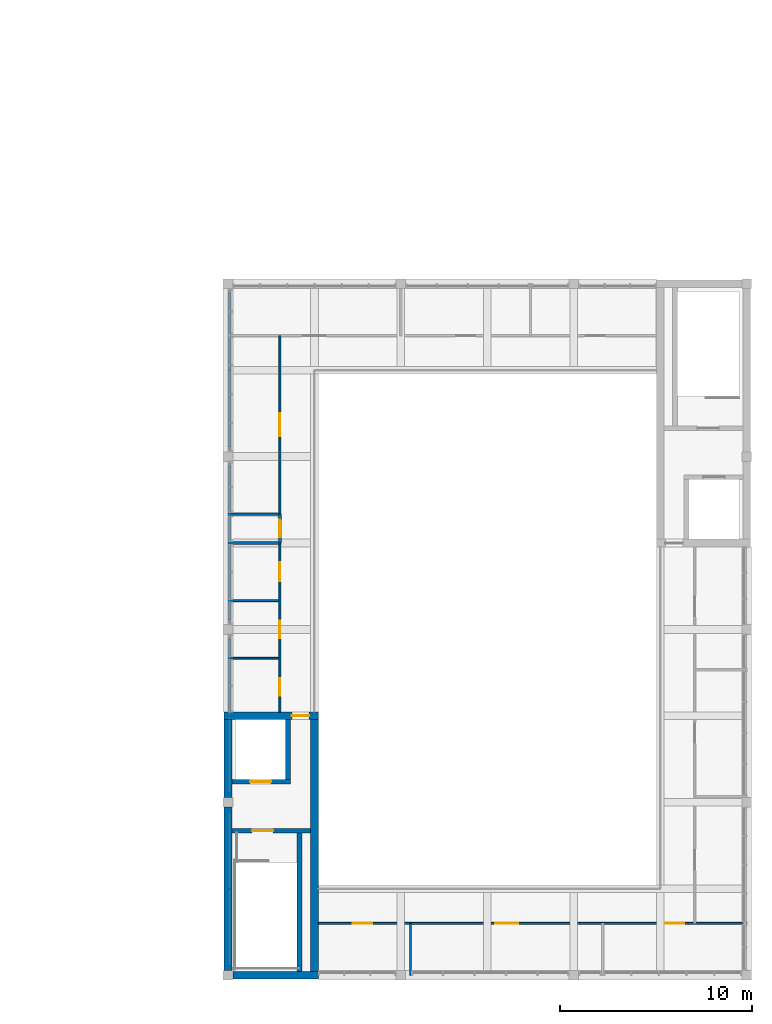
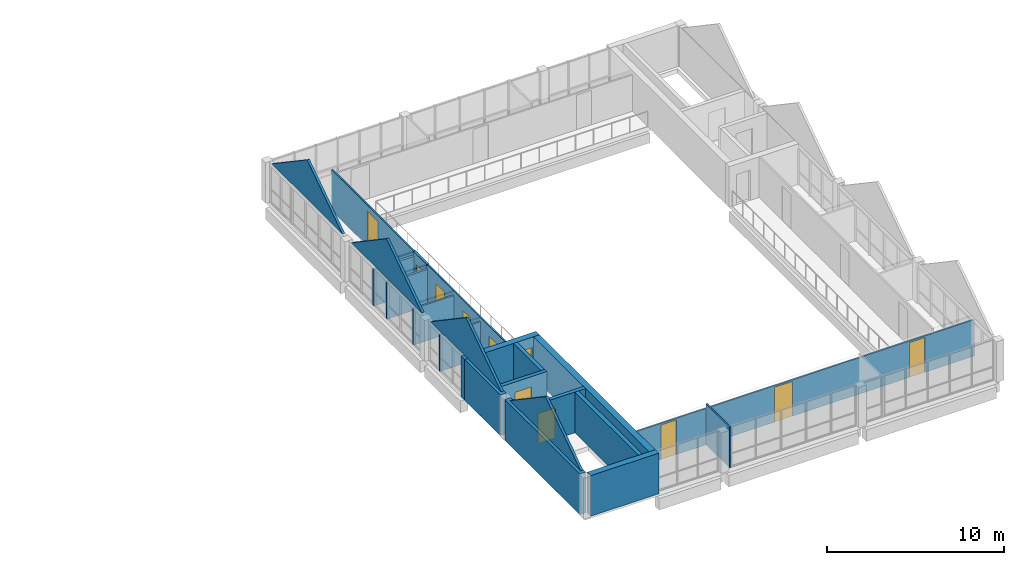
# One storey, part 29 of 50: 19 walls, 11 doors, 11 openings.
"""IFC4 building model written with IfcOpenShell, lengths in metres."""

import ifcopenshell
import ifcopenshell.guid

model = None  # the IFC model being written
_history = None  # IfcOwnerHistory: only IFC2X3 demands one
_inside = {}  # id of a spatial element -> (the spatial element, [elements in it])
_under = {}  # id of a project, library or spatial element -> (it, [spatial elements below it])
_declared = {}  # id of a project -> (the project, [libraries it declares])
_typed = {}  # id of a type object -> (the type object, [elements of that type])
_made_of = {}  # id of a material, layer set ... -> (it, [elements and type objects made of it])


def new_model(schema):
    """Start an empty IFC model of exactly this schema.

    Asked for "IFC4X3", IfcOpenShell would pick the latest addendum, in which some entities
    have other attributes; the version numbers below select the first issue.
    IFC2X3 requires an IfcOwnerHistory on every rooted entity: one is made here for all.
    """
    global model, _history
    if schema == "IFC4X3":
        model = ifcopenshell.file(schema_version=(4, 3, 0, 0))
    else:
        model = ifcopenshell.file(schema=schema)
    _inside.clear()
    _under.clear()
    _declared.clear()
    _typed.clear()
    _made_of.clear()
    _history = None
    if model.schema == "IFC2X3":
        org = make("IfcOrganization", Name="unknown")
        user = make(
            "IfcPersonAndOrganization",
            ThePerson=make("IfcPerson", FamilyName="unknown"),
            TheOrganization=org,
        )
        app = make(
            "IfcApplication",
            ApplicationDeveloper=org,
            Version="unknown",
            ApplicationFullName="unknown",
            ApplicationIdentifier="unknown",
        )
        _history = make(
            "IfcOwnerHistory",
            OwningUser=user,
            OwningApplication=app,
            ChangeAction="ADDED",
            CreationDate=0,
        )
    return model


def make(cls, **values):
    """One entity of the class cls with the attributes given. An attribute that is None is left unset."""
    return model.create_entity(
        cls, **{name: value for name, value in values.items() if value is not None}
    )


def rooted(cls, **values):
    """An entity with a GlobalId (a new one), such as an element, a storey or a relation."""
    return make(cls, GlobalId=ifcopenshell.guid.new(), OwnerHistory=_history, **values)


def si_unit(unit_type, name, prefix=None):
    """IfcSIUnit, for example si_unit("LENGTHUNIT", "METRE", prefix="MILLI")."""
    return make("IfcSIUnit", UnitType=unit_type, Prefix=prefix, Name=name)


def assignment(units):
    """IfcUnitAssignment: the units of a project."""
    return None if units is None else make("IfcUnitAssignment", Units=units)


def point(xyz):
    """IfcCartesianPoint."""
    return None if xyz is None else make("IfcCartesianPoint", Coordinates=xyz)


def direction(xyz):
    """IfcDirection."""
    return None if xyz is None else make("IfcDirection", DirectionRatios=xyz)


def frame(location, z_axis=None, x_axis=None):
    """IfcAxis2Placement3D, a coordinate frame: its origin and axes. An axis left out is left unset."""
    return make(
        "IfcAxis2Placement3D",
        Location=point(location),
        Axis=direction(z_axis),
        RefDirection=direction(x_axis),
    )


def frame_2d(location, x_axis=None):
    """IfcAxis2Placement2D, a coordinate frame in the plane: its origin and x axis."""
    return make(
        "IfcAxis2Placement2D", Location=point(location), RefDirection=direction(x_axis)
    )


def origin():
    """The frame at (0, 0, 0) with its axes left unset."""
    return frame((0.0, 0.0, 0.0))


def place(relative_to, where):
    """IfcLocalPlacement: puts the frame where relative to a parent placement (None: the world)."""
    return make(
        "IfcLocalPlacement", PlacementRelTo=relative_to, RelativePlacement=where
    )


def context(
    kind, dimensions, precision=None, world=None, true_north=None, identifier=None
):
    """IfcGeometricRepresentationContext, for example the 3D "Model" context."""
    return make(
        "IfcGeometricRepresentationContext",
        ContextIdentifier=identifier,
        ContextType=kind,
        CoordinateSpaceDimension=dimensions,
        Precision=precision,
        WorldCoordinateSystem=world,
        TrueNorth=true_north,
    )


def subcontext(parent, identifier, kind, view, scale=None):
    """IfcGeometricRepresentationSubContext, for example "Body" below "Model"."""
    return make(
        "IfcGeometricRepresentationSubContext",
        ContextIdentifier=identifier,
        ContextType=kind,
        ParentContext=parent,
        TargetScale=scale,
        TargetView=view,
    )


def project(units=None, contexts=None):
    """IfcProject with its units and contexts."""
    return rooted(
        "IfcProject",
        Name="project",
        RepresentationContexts=contexts,
        UnitsInContext=assignment(units),
    )


def spatial(cls, under=None, at=None, **own):
    """A site, building, storey or space (cls), placed at a placement, below another one or the project."""
    s = rooted(cls, ObjectPlacement=at, **own)
    if under is not None:
        _under.setdefault(under.id(), (under, []))[1].append(s)
    return s


def polyline(points):
    """IfcPolyline through the points."""
    return make("IfcPolyline", Points=[point(p) for p in points])


def profile(cls, at=None, kind="AREA", **sizes):
    """A parametric profile (cls). Its sizes go by their IFC names, for example OverallWidth=200.0."""
    return make(cls, ProfileType=kind, Position=at, **sizes)


def rectangle(**sizes):
    """IfcRectangleProfileDef."""
    return profile("IfcRectangleProfileDef", **sizes)


def outline(outer, holes=None, kind="AREA"):
    """IfcArbitraryClosedProfileDef: a profile drawn as a closed curve; with holes, ...WithVoids."""
    if holes is None:
        return make("IfcArbitraryClosedProfileDef", ProfileType=kind, OuterCurve=outer)
    return make(
        "IfcArbitraryProfileDefWithVoids",
        ProfileType=kind,
        OuterCurve=outer,
        InnerCurves=holes,
    )


def extrude(swept, where, along, depth):
    """IfcExtrudedAreaSolid: the profile swept, set in the frame where, extruded along a direction by depth."""
    return make(
        "IfcExtrudedAreaSolid",
        SweptArea=swept,
        Position=where,
        ExtrudedDirection=direction(along),
        Depth=depth,
    )


def shape(context_of_items, identifier, shape_type, items):
    """IfcShapeRepresentation: the items that make up one representation, for example the "Body"."""
    return make(
        "IfcShapeRepresentation",
        ContextOfItems=context_of_items,
        RepresentationIdentifier=identifier,
        RepresentationType=shape_type,
        Items=items,
    )


def material(Name=None, Category=None):
    """IfcMaterial."""
    return make("IfcMaterial", Name=Name, Category=Category)


def layer(
    of_material, thickness, ventilated=None, Name=None, Category=None, Priority=None
):
    """IfcMaterialLayer: one layer of a wall or slab, of a material (None: an air gap)."""
    return make(
        "IfcMaterialLayer",
        Material=of_material,
        LayerThickness=thickness,
        IsVentilated=ventilated,
        Name=Name,
        Category=Category,
        Priority=Priority,
    )


def layer_set(layers, Name=None):
    """IfcMaterialLayerSet."""
    return make("IfcMaterialLayerSet", MaterialLayers=layers, LayerSetName=Name)


def made_of(thing, what):
    """Note that an element or type object is made of a material, layer set ...; save() writes the relation."""
    if what is not None:
        _made_of.setdefault(what.id(), (what, []))[1].append(thing)
    return thing


def type_object(cls, material=None, **own):
    """A type object (cls), such as IfcWallType, which elements share."""
    return made_of(rooted(cls, **own), material)


def element(
    cls,
    number,
    at=None,
    inside=None,
    cuts=None,
    type_object=None,
    material=None,
    context=None,
    identifier="Body",
    shape_type=None,
    held_by="IfcProductDefinitionShape",
    body=None,
    shapes=None,
    **own,
):
    """One element of the class cls, such as IfcWall. Its Tag is "e" and its number.

    at: its placement. inside: the storey or other place that contains it. cuts: it is an
    opening in that element (IfcRelVoidsElement). A single representation is given by context,
    identifier, shape_type and body (its items); several are given by shapes. held_by: the class
    of the entity that holds the representations. save() writes the other relations.
    """
    e = rooted(cls, Tag="e%d" % number, ObjectPlacement=at, **own)
    if body is not None:
        shapes = [shape(context, identifier, shape_type, body)]
    if shapes is not None:
        e.Representation = make(held_by, Representations=shapes)
    if inside is not None:
        _inside.setdefault(inside.id(), (inside, []))[1].append(e)
    if cuts is not None:
        rooted(
            "IfcRelVoidsElement", RelatingBuildingElement=cuts, RelatedOpeningElement=e
        )
    if type_object is not None:
        _typed.setdefault(type_object.id(), (type_object, []))[1].append(e)
    return made_of(e, material)


def fill(opening, filler):
    """IfcRelFillsElement: the door or window that sits in an opening."""
    return rooted(
        "IfcRelFillsElement",
        RelatingOpeningElement=opening,
        RelatedBuildingElement=filler,
    )


def aggregate(whole, parts):
    """IfcRelAggregates: a whole, such as a stair, and the parts it consists of."""
    return rooted("IfcRelAggregates", RelatingObject=whole, RelatedObjects=parts)


def save(model, path):
    """Write the relations noted so far, then the file.

    IfcRelAggregates (storeys below a building ...), IfcRelContainedInSpatialStructure (elements
    in a storey), IfcRelDefinesByType, IfcRelAssociatesMaterial and IfcRelDeclares: one each for
    every whole, place, type object, material and project.
    """
    for whole, parts in _under.values():
        aggregate(whole, parts)
    for where, things in _inside.values():
        rooted(
            "IfcRelContainedInSpatialStructure",
            RelatedElements=things,
            RelatingStructure=where,
        )
    for kind, things in _typed.values():
        rooted("IfcRelDefinesByType", RelatedObjects=things, RelatingType=kind)
    for what, things in _made_of.values():
        rooted("IfcRelAssociatesMaterial", RelatedObjects=things, RelatingMaterial=what)
    for by, libraries in _declared.values():
        rooted("IfcRelDeclares", RelatingContext=by, RelatedDefinitions=libraries)
    model.write(path)


model = new_model("IFC4")

# Units and contexts
model_context = context("Model", 3, precision=1e-05, world=origin(), true_north=direction((0.0, 1.0)))
body_context = subcontext(model_context, "Body", "Model", "MODEL_VIEW")
ifc_project = project(units=[si_unit("LENGTHUNIT", "METRE"), si_unit("AREAUNIT", "SQUARE_METRE"), si_unit("VOLUMEUNIT", "CUBIC_METRE"), si_unit("PLANEANGLEUNIT", "RADIAN"), si_unit("MASSUNIT", "GRAM", prefix="KILO")], contexts=[model_context])

# Site, building, storey
site_placement = place(None, origin())
site = spatial("IfcSite", under=ifc_project, at=site_placement, CompositionType="ELEMENT")
building_placement = place(site_placement, origin())
building = spatial("IfcBuilding", under=site, at=building_placement, Name="Merrow Basin Faculty of Sciences", CompositionType="ELEMENT")
storey_placement = place(building_placement, frame((0.0, 0.0, 18.0)))
storey = spatial("IfcBuildingStorey", under=building, at=storey_placement, Name="L04", CompositionType="ELEMENT", Elevation=18.0)

# Wall
ifc_material_1 = material(Name="Precast concrete C40/50", Category="concrete")
ifc_layer_1 = layer(ifc_material_1, 0.159912109375)
ifc_layer_set_1 = layer_set([ifc_layer_1], Name="Frame infill wall 160 Precast concrete C40/50")
wall_type_1 = type_object("IfcWallType", Name="Frame infill wall 160 Precast concrete C40/50", PredefinedType="STANDARD", material=ifc_layer_set_1)
wall_1_placement = place(storey_placement, frame((45.080078125, 0.0, 2.81298828125), z_axis=(0.0, 0.0, 1.0), x_axis=(0.0, 1.0, 0.0)))
element("IfcWall", 1, at=wall_1_placement, inside=storey, type_object=wall_type_1, Name="West frame infill wall", PredefinedType="STANDARD", context=body_context, shape_type="SweptSolid", body=[
    extrude(outline(polyline([(0.5, 0.0), (8.5, 0.0), (8.5, 0.0), (4.5, 2.699951171875), (0.5, 0.0), (0.5, 0.0)])), frame((0.0, 0.080078125, 0.0), z_axis=(0.0, -1.0, 0.0), x_axis=(1.0, 0.0, 0.0)), (0.0, 0.0, 1.0), 0.159912109375),
    extrude(outline(polyline([(9.5, 0.0), (17.5, 0.0), (17.5, 0.0), (13.5, 2.699951171875), (9.5, 0.0), (9.5, 0.0)])), frame((0.0, 0.080078125, 0.0), z_axis=(0.0, -1.0, 0.0), x_axis=(1.0, 0.0, 0.0)), (0.0, 0.0, 1.0), 0.159912109375),
    extrude(outline(polyline([(18.5, 0.0), (26.5, 0.0), (26.5, 0.0), (22.5, 2.699951171875), (18.5, 0.0), (18.5, 0.0)])), frame((0.0, 0.080078125, 0.0), z_axis=(0.0, -1.0, 0.0), x_axis=(1.0, 0.0, 0.0)), (0.0, 0.0, 1.0), 0.159912109375),
    extrude(outline(polyline([(27.5, 0.0), (35.5, 0.0), (35.5, 0.0), (31.5, 2.699951171875), (27.5, 0.0), (27.5, 0.0)])), frame((0.0, 0.080078125, 0.0), z_axis=(0.0, -1.0, 0.0), x_axis=(1.0, 0.0, 0.0)), (0.0, 0.0, 1.0), 0.159912109375),
])

# Wall, opening, door
ifc_material_2 = material(Name="Gypsum board")
ifc_layer_2 = layer(ifc_material_2, 0.10009765625)
ifc_layer_set_2 = layer_set([ifc_layer_2], Name="Partition 100 gypsum board on steel studs")
wall_type_2 = type_object("IfcWallType", Name="Partition 100 gypsum board on steel studs", PredefinedType="PARTITIONING", material=ifc_layer_set_2)
wall_2_placement = place(storey_placement, frame((47.699951171875, 24.0, 0.0), z_axis=(0.0, 0.0, 1.0), x_axis=(0.0, 1.0, 0.0)))
wall_2 = element("IfcWall", 2, at=wall_2_placement, inside=storey, type_object=wall_type_2, Name="IW100 L04 007", PredefinedType="PARTITIONING", context=body_context, shape_type="SweptSolid", body=[
    extrude(rectangle(XDim=9.300048828125, YDim=0.10009765625, at=frame_2d((4.64990234375, 0.0))), origin(), (0.0, 0.0, 1.0), 2.81298828125),
])
opening_1_placement = place(wall_2_placement, frame((4.050048828125, 0.0, 0.0)))
opening_1 = element("IfcOpeningElement", 3, at=opening_1_placement, cuts=wall_2, Name="Opening D04A018", PredefinedType="OPENING", context=body_context, shape_type="SweptSolid", body=[
    extrude(rectangle(XDim=1.199951171875, YDim=2.39990234375, at=frame_2d((0.60009765625, 1.199951171875))), frame((0.0, 0.06005859375, 0.0), z_axis=(0.0, -1.0, 0.0), x_axis=(1.0, 0.0, 0.0)), (0.0, 0.0, 1.0), 0.1201171875),
])
ifc_material_3 = material(Name="Glazed aluminium door", Category="aluminium")
door_type_1 = type_object("IfcDoorType", Name="Glazed single door 1200 x 2400", OperationType="NOTDEFINED", PredefinedType="DOOR", material=ifc_material_3)
door_1_placement = place(opening_1_placement, origin())
door_1 = element("IfcDoor", 4, at=door_1_placement, inside=storey, type_object=door_type_1, Name="Door D04A018", OperationType="SINGLE_SWING_LEFT", OverallHeight=2.39990234375, OverallWidth=1.199951171875, PredefinedType="DOOR", context=body_context, shape_type="SweptSolid", body=[
    extrude(rectangle(XDim=1.199951171875, YDim=2.39990234375, at=frame_2d((0.60009765625, 1.199951171875))), frame((0.0, 0.02490234375, 0.0), z_axis=(0.0, -1.0, 0.0), x_axis=(1.0, 0.0, 0.0)), (0.0, 0.0, 1.0), 0.050048828125),
])
fill(opening_1, door_1)

# Wall
wall_3_placement = place(storey_placement, frame((54.5, 0.0, 0.0), z_axis=(0.0, 0.0, 1.0), x_axis=(0.0, 1.0, 0.0)))
element("IfcWall", 5, at=wall_3_placement, inside=storey, type_object=wall_type_2, Name="IW100 L04 009", PredefinedType="PARTITIONING", context=body_context, shape_type="SweptSolid", body=[
    extrude(rectangle(XDim=2.699951171875, YDim=0.10009765625, at=frame_2d((1.35009765625, 0.0))), origin(), (0.0, 0.0, 1.0), 2.81298828125),
])

# Wall, openings, doors
wall_4_placement = place(storey_placement, frame((49.699951171875, 2.699951171875, 0.0), z_axis=(0.0, 0.0, 1.0), x_axis=(1.0, 0.0, 0.0)))
wall_4 = element("IfcWall", 6, at=wall_4_placement, inside=storey, type_object=wall_type_2, Name="IW100 L04 013", PredefinedType="PARTITIONING", context=body_context, shape_type="SweptSolid", body=[
    extrude(rectangle(XDim=22.300048828125, YDim=0.10009765625, at=frame_2d((11.14990234375, 0.0))), origin(), (0.0, 0.0, 1.0), 2.512939453125),
])
opening_2_placement = place(wall_4_placement, frame((1.800048828125, 0.0, 0.0)))
opening_2 = element("IfcOpeningElement", 7, at=opening_2_placement, cuts=wall_4, Name="Opening D04A005", PredefinedType="OPENING", context=body_context, shape_type="SweptSolid", body=[
    extrude(rectangle(XDim=1.0, YDim=2.39990234375, at=frame_2d((0.5, 1.199951171875))), frame((0.0, 0.06005859375, 0.0), z_axis=(0.0, -1.0, 0.0), x_axis=(1.0, 0.0, 0.0)), (0.0, 0.0, 1.0), 0.1201171875),
])
opening_3_placement = place(wall_4_placement, frame((9.199951171875, 0.0, 0.0)))
opening_3 = element("IfcOpeningElement", 8, at=opening_3_placement, cuts=wall_4, Name="Opening D04A006", PredefinedType="OPENING", context=body_context, shape_type="SweptSolid", body=[
    extrude(rectangle(XDim=1.199951171875, YDim=2.39990234375, at=frame_2d((0.60009765625, 1.199951171875))), frame((0.0, 0.06005859375, 0.0), z_axis=(0.0, -1.0, 0.0), x_axis=(1.0, 0.0, 0.0)), (0.0, 0.0, 1.0), 0.1201171875),
])
opening_4_placement = place(wall_4_placement, frame((18.050048828125, 0.0, 0.0)))
opening_4 = element("IfcOpeningElement", 9, at=opening_4_placement, cuts=wall_4, Name="Opening D04A007", PredefinedType="OPENING", context=body_context, shape_type="SweptSolid", body=[
    extrude(rectangle(XDim=1.0, YDim=2.39990234375, at=frame_2d((0.5, 1.199951171875))), frame((0.0, 0.06005859375, 0.0), z_axis=(0.0, -1.0, 0.0), x_axis=(1.0, 0.0, 0.0)), (0.0, 0.0, 1.0), 0.1201171875),
])
ifc_material_4 = material(Name="Glazed aluminium door", Category="aluminium")
door_type_2 = type_object("IfcDoorType", Name="Glazed single door 1000 x 2400", OperationType="NOTDEFINED", PredefinedType="DOOR", material=ifc_material_4)
door_2_placement = place(opening_2_placement, origin())
door_2 = element("IfcDoor", 10, at=door_2_placement, inside=storey, type_object=door_type_2, Name="Door D04A005", OperationType="SINGLE_SWING_LEFT", OverallHeight=2.39990234375, OverallWidth=1.0, PredefinedType="DOOR", context=body_context, shape_type="SweptSolid", body=[
    extrude(rectangle(XDim=1.0, YDim=2.39990234375, at=frame_2d((0.5, 1.199951171875))), frame((0.0, 0.02490234375, 0.0), z_axis=(0.0, -1.0, 0.0), x_axis=(1.0, 0.0, 0.0)), (0.0, 0.0, 1.0), 0.050048828125),
])
fill(opening_2, door_2)
door_3_placement = place(opening_4_placement, origin())
door_3 = element("IfcDoor", 11, at=door_3_placement, inside=storey, type_object=door_type_2, Name="Door D04A007", OperationType="SINGLE_SWING_LEFT", OverallHeight=2.39990234375, OverallWidth=1.0, PredefinedType="DOOR", context=body_context, shape_type="SweptSolid", body=[
    extrude(rectangle(XDim=1.0, YDim=2.39990234375, at=frame_2d((0.5, 1.199951171875))), frame((0.0, 0.02490234375, 0.0), z_axis=(0.0, -1.0, 0.0), x_axis=(1.0, 0.0, 0.0)), (0.0, 0.0, 1.0), 0.050048828125),
])
fill(opening_4, door_3)
door_4_placement = place(opening_3_placement, origin())
door_4 = element("IfcDoor", 12, at=door_4_placement, inside=storey, type_object=door_type_1, Name="Door D04A006", OperationType="SINGLE_SWING_LEFT", OverallHeight=2.39990234375, OverallWidth=1.199951171875, PredefinedType="DOOR", context=body_context, shape_type="SweptSolid", body=[
    extrude(rectangle(XDim=1.199951171875, YDim=2.39990234375, at=frame_2d((0.60009765625, 1.199951171875))), frame((0.0, 0.02490234375, 0.0), z_axis=(0.0, -1.0, 0.0), x_axis=(1.0, 0.0, 0.0)), (0.0, 0.0, 1.0), 0.050048828125),
])
fill(opening_3, door_4)

ifc_material_5 = material(Name="Moisture-resistant gypsum board")
ifc_layer_3 = layer(ifc_material_5, 0.10009765625)
ifc_layer_set_3 = layer_set([ifc_layer_3], Name="Partition 100 moisture-resistant board on steel studs")
wall_type_3 = type_object("IfcWallType", Name="Partition 100 moisture-resistant board on steel studs", PredefinedType="PARTITIONING", material=ifc_layer_set_3)
wall_5_placement = place(storey_placement, frame((47.699951171875, 13.699951171875, 0.0), z_axis=(0.0, 0.0, 1.0), x_axis=(0.0, 1.0, 0.0)))
wall_5 = element("IfcWall", 13, at=wall_5_placement, inside=storey, type_object=wall_type_3, Name="IW101 L04 004", PredefinedType="PARTITIONING", context=body_context, shape_type="SweptSolid", body=[
    extrude(rectangle(XDim=8.800048828125, YDim=0.10009765625, at=frame_2d((4.39990234375, 0.0))), origin(), (0.0, 0.0, 1.0), 2.81298828125),
])
opening_5_placement = place(wall_5_placement, frame((0.85009765625, 0.0, 0.0)))
opening_5 = element("IfcOpeningElement", 14, at=opening_5_placement, cuts=wall_5, Name="Opening D04A014", PredefinedType="OPENING", context=body_context, shape_type="SweptSolid", body=[
    extrude(rectangle(XDim=0.89990234375, YDim=2.10009765625, at=frame_2d((0.449951171875, 1.050048828125))), frame((0.0, 0.06005859375, 0.0), z_axis=(0.0, -1.0, 0.0), x_axis=(1.0, 0.0, 0.0)), (0.0, 0.0, 1.0), 0.1201171875),
])
opening_6_placement = place(wall_5_placement, frame((3.85009765625, 0.0, 0.0)))
opening_6 = element("IfcOpeningElement", 15, at=opening_6_placement, cuts=wall_5, Name="Opening D04A015", PredefinedType="OPENING", context=body_context, shape_type="SweptSolid", body=[
    extrude(rectangle(XDim=0.89990234375, YDim=2.10009765625, at=frame_2d((0.449951171875, 1.050048828125))), frame((0.0, 0.06005859375, 0.0), z_axis=(0.0, -1.0, 0.0), x_axis=(1.0, 0.0, 0.0)), (0.0, 0.0, 1.0), 0.1201171875),
])
opening_7_placement = place(wall_5_placement, frame((6.800048828125, 0.0, 0.0)))
opening_7 = element("IfcOpeningElement", 16, at=opening_7_placement, cuts=wall_5, Name="Opening D04A016", PredefinedType="OPENING", context=body_context, shape_type="SweptSolid", body=[
    extrude(rectangle(XDim=1.0, YDim=2.10009765625, at=frame_2d((0.5, 1.050048828125))), frame((0.0, 0.06005859375, 0.0), z_axis=(0.0, -1.0, 0.0), x_axis=(1.0, 0.0, 0.0)), (0.0, 0.0, 1.0), 0.1201171875),
])
ifc_material_6 = material(Name="Timber door leaf", Category="wood")
door_type_3 = type_object("IfcDoorType", Name="Accessible door 1000 x 2100", OperationType="NOTDEFINED", PredefinedType="DOOR", material=ifc_material_6)
door_5_placement = place(opening_7_placement, origin())
door_5 = element("IfcDoor", 17, at=door_5_placement, inside=storey, type_object=door_type_3, Name="Door D04A016", OperationType="SINGLE_SWING_LEFT", OverallHeight=2.10009765625, OverallWidth=1.0, PredefinedType="DOOR", context=body_context, shape_type="SweptSolid", body=[
    extrude(rectangle(XDim=1.0, YDim=2.10009765625, at=frame_2d((0.5, 1.050048828125))), frame((0.0, 0.02490234375, 0.0), z_axis=(0.0, -1.0, 0.0), x_axis=(1.0, 0.0, 0.0)), (0.0, 0.0, 1.0), 0.050048828125),
])
fill(opening_7, door_5)
ifc_material_7 = material(Name="Timber door leaf", Category="wood")
door_type_4 = type_object("IfcDoorType", Name="Single swing door 900 x 2100", OperationType="NOTDEFINED", PredefinedType="DOOR", material=ifc_material_7)
door_6_placement = place(opening_5_placement, origin())
door_6 = element("IfcDoor", 18, at=door_6_placement, inside=storey, type_object=door_type_4, Name="Door D04A014", OperationType="SINGLE_SWING_LEFT", OverallHeight=2.10009765625, OverallWidth=0.89990234375, PredefinedType="DOOR", context=body_context, shape_type="SweptSolid", body=[
    extrude(rectangle(XDim=0.89990234375, YDim=2.10009765625, at=frame_2d((0.449951171875, 1.050048828125))), frame((0.0, 0.02490234375, 0.0), z_axis=(0.0, -1.0, 0.0), x_axis=(1.0, 0.0, 0.0)), (0.0, 0.0, 1.0), 0.050048828125),
])
fill(opening_5, door_6)
door_7_placement = place(opening_6_placement, origin())
door_7 = element("IfcDoor", 19, at=door_7_placement, inside=storey, type_object=door_type_4, Name="Door D04A015", OperationType="SINGLE_SWING_LEFT", OverallHeight=2.10009765625, OverallWidth=0.89990234375, PredefinedType="DOOR", context=body_context, shape_type="SweptSolid", body=[
    extrude(rectangle(XDim=0.89990234375, YDim=2.10009765625, at=frame_2d((0.449951171875, 1.050048828125))), frame((0.0, 0.02490234375, 0.0), z_axis=(0.0, -1.0, 0.0), x_axis=(1.0, 0.0, 0.0)), (0.0, 0.0, 1.0), 0.050048828125),
])
fill(opening_6, door_7)

# Walls
for number, where, z_axis, x_axis, name in (
    (20, (45.0, 16.5, 0.0), (0.0, 0.0, 1.0), (1.0, 0.0, 0.0), "IW101 L04 005"),
    (21, (45.0, 19.5, 0.0), (0.0, 0.0, 1.0), (1.0, 0.0, 0.0), "IW101 L04 006"),
):
    element("IfcWall", number, at=place(storey_placement, frame(where, z_axis=z_axis, x_axis=x_axis)), inside=storey, type_object=wall_type_3, Name=name, PredefinedType="PARTITIONING", context=body_context, shape_type="SweptSolid", body=[
        extrude(rectangle(XDim=2.64990234375, YDim=0.10009765625, at=frame_2d((1.324951171875, 0.0))), origin(), (0.0, 0.0, 1.0), 2.512939453125),
    ])

# Wall, opening, door
ifc_material_8 = material(Name="Concrete C40/50", Category="concrete")
ifc_layer_4 = layer(ifc_material_8, 0.25)
ifc_layer_set_4 = layer_set([ifc_layer_4], Name="Shear wall 250 Concrete C40/50")
wall_type_4 = type_object("IfcWallType", Name="Shear wall 250 Concrete C40/50", PredefinedType="SHEAR", material=ifc_layer_set_4)
wall_6_placement = place(storey_placement, frame((45.199951171875, 7.52490234375, 0.0), z_axis=(0.0, 0.0, 1.0), x_axis=(1.0, 0.0, 0.0)))
wall_6 = element("IfcWall", 22, at=wall_6_placement, inside=storey, type_object=wall_type_4, Name="SW2 L04 006", PredefinedType="SHEAR", context=body_context, shape_type="SweptSolid", body=[
    extrude(rectangle(XDim=4.10009765625, YDim=0.25, at=frame_2d((2.050048828125, 0.0))), origin(), (0.0, 0.0, 1.0), 2.81298828125),
])
opening_8_placement = place(wall_6_placement, frame((1.050048828125, 0.0, 0.0)))
opening_8 = element("IfcOpeningElement", 23, at=opening_8_placement, cuts=wall_6, Name="Opening D04A001", PredefinedType="OPENING", context=body_context, shape_type="SweptSolid", body=[
    extrude(rectangle(XDim=1.10009765625, YDim=2.10009765625, at=frame_2d((0.550048828125, 1.050048828125))), frame((0.0, 0.135009765625, 0.0), z_axis=(0.0, -1.0, 0.0), x_axis=(1.0, 0.0, 0.0)), (0.0, 0.0, 1.0), 0.27001953125),
])
ifc_material_9 = material(Name="Fire-rated steel door", Category="steel")
door_type_5 = type_object("IfcDoorType", Name="Fire door FD90 1100 x 2100", OperationType="NOTDEFINED", PredefinedType="DOOR", material=ifc_material_9)
door_8_placement = place(opening_8_placement, origin())
door_8 = element("IfcDoor", 24, at=door_8_placement, inside=storey, type_object=door_type_5, Name="Door D04A001", OperationType="SINGLE_SWING_LEFT", OverallHeight=2.10009765625, OverallWidth=1.10009765625, PredefinedType="DOOR", context=body_context, shape_type="SweptSolid", body=[
    extrude(rectangle(XDim=1.10009765625, YDim=2.10009765625, at=frame_2d((0.550048828125, 1.050048828125))), frame((0.0, 0.02490234375, 0.0), z_axis=(0.0, -1.0, 0.0), x_axis=(1.0, 0.0, 0.0)), (0.0, 0.0, 1.0), 0.050048828125),
])
fill(opening_8, door_8)

# Wall
wall_7_placement = place(storey_placement, frame((48.72509765625, 0.199951171875, 0.0), z_axis=(0.0, 0.0, 1.0), x_axis=(0.0, 1.0, 0.0)))
element("IfcWall", 25, at=wall_7_placement, inside=storey, type_object=wall_type_4, Name="SW2 L04 007", PredefinedType="SHEAR", context=body_context, shape_type="SweptSolid", body=[
    extrude(rectangle(XDim=7.199951171875, YDim=0.25, at=frame_2d((3.60009765625, 0.0))), origin(), (0.0, 0.0, 1.0), 2.81298828125),
])

# Wall, opening, door
wall_8_placement = place(storey_placement, frame((45.199951171875, 10.074951171875, 0.0), z_axis=(0.0, 0.0, 1.0), x_axis=(1.0, 0.0, 0.0)))
wall_8 = element("IfcWall", 26, at=wall_8_placement, inside=storey, type_object=wall_type_4, Name="SW2 L04 008", PredefinedType="SHEAR", context=body_context, shape_type="SweptSolid", body=[
    extrude(rectangle(XDim=3.050048828125, YDim=0.25, at=frame_2d((1.52490234375, 0.0))), origin(), (0.0, 0.0, 1.0), 2.81298828125),
])
opening_9_placement = place(wall_8_placement, frame((0.949951171875, 0.0, 0.0)))
opening_9 = element("IfcOpeningElement", 27, at=opening_9_placement, cuts=wall_8, Name="Opening LD04A01", PredefinedType="OPENING", context=body_context, shape_type="SweptSolid", body=[
    extrude(rectangle(XDim=1.10009765625, YDim=2.10009765625, at=frame_2d((0.550048828125, 1.050048828125))), frame((0.0, 0.135009765625, 0.0), z_axis=(0.0, -1.0, 0.0), x_axis=(1.0, 0.0, 0.0)), (0.0, 0.0, 1.0), 0.27001953125),
])
ifc_material_10 = material(Name="Stainless steel sliding door", Category="steel")
door_type_6 = type_object("IfcDoorType", Name="Lift landing door 1100 x 2100 sliding", OperationType="NOTDEFINED", PredefinedType="DOOR", material=ifc_material_10)
door_9_placement = place(opening_9_placement, origin())
door_9 = element("IfcDoor", 28, at=door_9_placement, inside=storey, type_object=door_type_6, Name="Landing door LF9 L04", OperationType="SLIDING_TO_LEFT", OverallHeight=2.10009765625, OverallWidth=1.10009765625, PredefinedType="DOOR", context=body_context, shape_type="SweptSolid", body=[
    extrude(rectangle(XDim=1.10009765625, YDim=2.10009765625, at=frame_2d((0.550048828125, 1.050048828125))), frame((0.0, 0.02490234375, 0.0), z_axis=(0.0, -1.0, 0.0), x_axis=(1.0, 0.0, 0.0)), (0.0, 0.0, 1.0), 0.050048828125),
])
fill(opening_9, door_9)

# Walls
wall_9_placement = place(storey_placement, frame((48.125, 10.199951171875, 0.0), z_axis=(0.0, 0.0, 1.0), x_axis=(0.0, 1.0, 0.0)))
element("IfcWall", 29, at=wall_9_placement, inside=storey, type_object=wall_type_4, Name="SW2 L04 009", PredefinedType="SHEAR", context=body_context, shape_type="SweptSolid", body=[
    extrude(rectangle(XDim=3.10009765625, YDim=0.25, at=frame_2d((1.550048828125, 0.0))), origin(), (0.0, 0.0, 1.0), 2.81298828125),
])
ifc_material_11 = material(Name="Concrete C40/50", Category="concrete")
ifc_layer_5 = layer(ifc_material_11, 0.39990234375)
ifc_layer_set_5 = layer_set([ifc_layer_5], Name="Shear wall 400 Concrete C40/50")
wall_type_5 = type_object("IfcWallType", Name="Shear wall 400 Concrete C40/50", PredefinedType="SHEAR", material=ifc_layer_set_5)
wall_10_placement = place(storey_placement, frame((45.25, 0.0, 0.0), z_axis=(0.0, 0.0, 1.0), x_axis=(1.0, 0.0, 0.0)))
element("IfcWall", 30, at=wall_10_placement, inside=storey, type_object=wall_type_5, Name="SW1 L04 001", PredefinedType="SHEAR", context=body_context, shape_type="SweptSolid", body=[
    extrude(rectangle(XDim=4.449951171875, YDim=0.39990234375, at=frame_2d((2.22509765625, 0.0))), origin(), (0.0, 0.0, 1.0), 2.81298828125),
])

# Wall, opening, door
wall_11_placement = place(storey_placement, frame((44.800048828125, 13.5, 0.0), z_axis=(0.0, 0.0, 1.0), x_axis=(1.0, 0.0, 0.0)))
wall_11 = element("IfcWall", 31, at=wall_11_placement, inside=storey, type_object=wall_type_5, Name="SW1 L04 002", PredefinedType="SHEAR", context=body_context, shape_type="SweptSolid", body=[
    extrude(rectangle(XDim=4.89990234375, YDim=0.39990234375, at=frame_2d((2.449951171875, 0.0))), origin(), (0.0, 0.0, 1.0), 2.81298828125),
])
opening_10_placement = place(wall_11_placement, frame((3.52490234375, 0.0, 0.0)))
opening_10 = element("IfcOpeningElement", 32, at=opening_10_placement, cuts=wall_11, Name="Opening D04A002", PredefinedType="OPENING", context=body_context, shape_type="SweptSolid", body=[
    extrude(rectangle(XDim=0.89990234375, YDim=2.10009765625, at=frame_2d((0.449951171875, 1.050048828125))), frame((0.0, 0.2099609375, 0.0), z_axis=(0.0, -1.0, 0.0), x_axis=(1.0, 0.0, 0.0)), (0.0, 0.0, 1.0), 0.419921875),
])
ifc_material_12 = material(Name="Fire-rated steel door", Category="steel")
door_type_7 = type_object("IfcDoorType", Name="Fire door FD60 900 x 2100", OperationType="NOTDEFINED", PredefinedType="DOOR", material=ifc_material_12)
door_10_placement = place(opening_10_placement, origin())
door_10 = element("IfcDoor", 33, at=door_10_placement, inside=storey, type_object=door_type_7, Name="Door D04A002", OperationType="SINGLE_SWING_RIGHT", OverallHeight=2.10009765625, OverallWidth=0.89990234375, PredefinedType="DOOR", context=body_context, shape_type="SweptSolid", body=[
    extrude(rectangle(XDim=0.89990234375, YDim=2.10009765625, at=frame_2d((0.449951171875, 1.050048828125))), frame((0.0, 0.02490234375, 0.0), z_axis=(0.0, -1.0, 0.0), x_axis=(1.0, 0.0, 0.0)), (0.0, 0.0, 1.0), 0.050048828125),
])
fill(opening_10, door_10)

# Walls
wall_12_placement = place(storey_placement, frame((45.0, 0.25, 0.0), z_axis=(0.0, 0.0, 1.0), x_axis=(0.0, 1.0, 0.0)))
element("IfcWall", 34, at=wall_12_placement, inside=storey, type_object=wall_type_5, Name="SW1 L04 003", PredefinedType="SHEAR", context=body_context, shape_type="SweptSolid", body=[
    extrude(rectangle(XDim=8.5, YDim=0.39990234375, at=frame_2d((4.25, 0.0))), origin(), (0.0, 0.0, 1.0), 2.81298828125),
])
wall_13_placement = place(storey_placement, frame((45.0, 9.25, 0.0), z_axis=(0.0, 0.0, 1.0), x_axis=(0.0, 1.0, 0.0)))
element("IfcWall", 35, at=wall_13_placement, inside=storey, type_object=wall_type_5, Name="SW1 L04 004", PredefinedType="SHEAR", context=body_context, shape_type="SweptSolid", body=[
    extrude(rectangle(XDim=4.050048828125, YDim=0.39990234375, at=frame_2d((2.02490234375, 0.0))), origin(), (0.0, 0.0, 1.0), 2.81298828125),
])
wall_14_placement = place(storey_placement, frame((49.5, 0.199951171875, 0.0), z_axis=(0.0, 0.0, 1.0), x_axis=(0.0, 1.0, 0.0)))
element("IfcWall", 36, at=wall_14_placement, inside=storey, type_object=wall_type_5, Name="SW1 L04 005", PredefinedType="SHEAR", context=body_context, shape_type="SweptSolid", body=[
    extrude(rectangle(XDim=13.10009765625, YDim=0.39990234375, at=frame_2d((6.550048828125, 0.0))), origin(), (0.0, 0.0, 1.0), 2.81298828125),
])

# Wall, opening, door
ifc_material_13 = material(Name="Fire-rated gypsum board")
ifc_layer_6 = layer(ifc_material_13, 0.14990234375)
ifc_layer_set_6 = layer_set([ifc_layer_6], Name="Store partition 150 fire-rated board on steel studs")
wall_type_6 = type_object("IfcWallType", Name="Store partition 150 fire-rated board on steel studs", PredefinedType="PARTITIONING", material=ifc_layer_set_6)
wall_15_placement = place(storey_placement, frame((47.699951171875, 22.5, 0.0), z_axis=(0.0, 0.0, 1.0), x_axis=(0.0, 1.0, 0.0)))
wall_15 = element("IfcWall", 37, at=wall_15_placement, inside=storey, type_object=wall_type_6, Name="IW152 L04 001", PredefinedType="PARTITIONING", context=body_context, shape_type="SweptSolid", body=[
    extrude(rectangle(XDim=1.5, YDim=0.14990234375, at=frame_2d((0.75, 0.0))), origin(), (0.0, 0.0, 1.0), 2.81298828125),
])
opening_11_placement = place(wall_15_placement, frame((0.300048828125, 0.0, 0.0)))
opening_11 = element("IfcOpeningElement", 38, at=opening_11_placement, cuts=wall_15, Name="Opening D04A017", PredefinedType="OPENING", context=body_context, shape_type="SweptSolid", body=[
    extrude(rectangle(XDim=0.89990234375, YDim=2.10009765625, at=frame_2d((0.449951171875, 1.050048828125))), frame((0.0, 0.0849609375, 0.0), z_axis=(0.0, -1.0, 0.0), x_axis=(1.0, 0.0, 0.0)), (0.0, 0.0, 1.0), 0.169921875),
])
door_11_placement = place(opening_11_placement, origin())
door_11 = element("IfcDoor", 39, at=door_11_placement, inside=storey, type_object=door_type_7, Name="Door D04A017", OperationType="SINGLE_SWING_LEFT", OverallHeight=2.10009765625, OverallWidth=0.89990234375, PredefinedType="DOOR", context=body_context, shape_type="SweptSolid", body=[
    extrude(rectangle(XDim=0.89990234375, YDim=2.10009765625, at=frame_2d((0.449951171875, 1.050048828125))), frame((0.0, 0.02490234375, 0.0), z_axis=(0.0, -1.0, 0.0), x_axis=(1.0, 0.0, 0.0)), (0.0, 0.0, 1.0), 0.050048828125),
])
fill(opening_11, door_11)

# Walls
for number, where, z_axis, x_axis, name in (
    (40, (45.0, 22.5, 0.0), (0.0, 0.0, 1.0), (1.0, 0.0, 0.0), "IW152 L04 002"),
    (41, (45.0, 24.0, 0.0), (0.0, 0.0, 1.0), (1.0, 0.0, 0.0), "IW152 L04 003"),
):
    element("IfcWall", number, at=place(storey_placement, frame(where, z_axis=z_axis, x_axis=x_axis)), inside=storey, type_object=wall_type_6, Name=name, PredefinedType="PARTITIONING", context=body_context, shape_type="SweptSolid", body=[
        extrude(rectangle(XDim=2.699951171875, YDim=0.14990234375, at=frame_2d((1.35009765625, 0.0))), origin(), (0.0, 0.0, 1.0), 2.512939453125),
    ])

save(model, "model.ifc")
